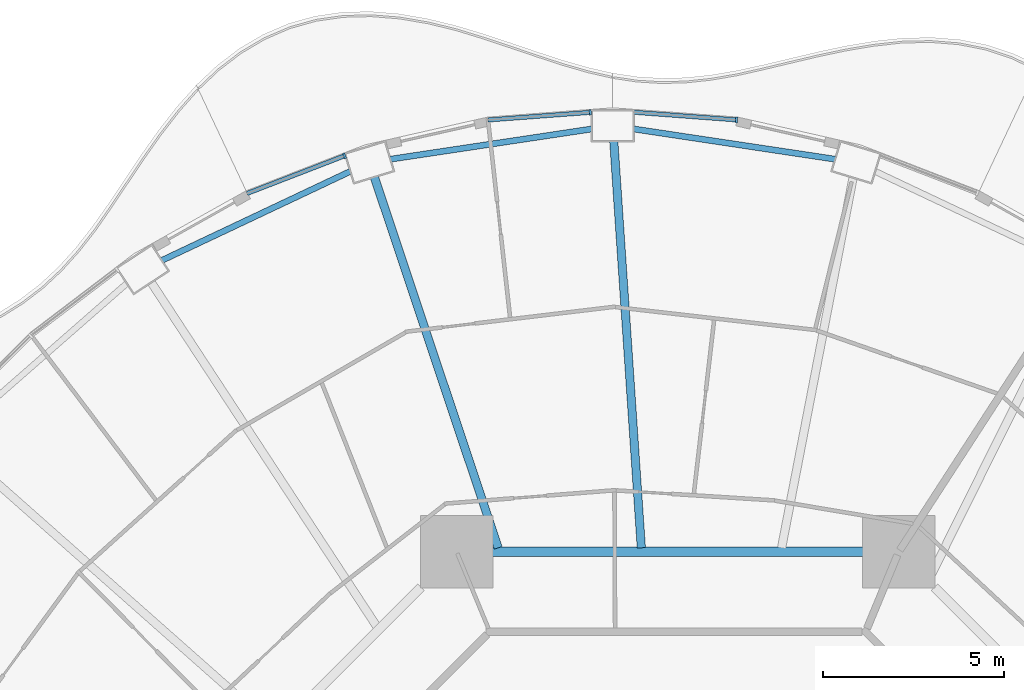
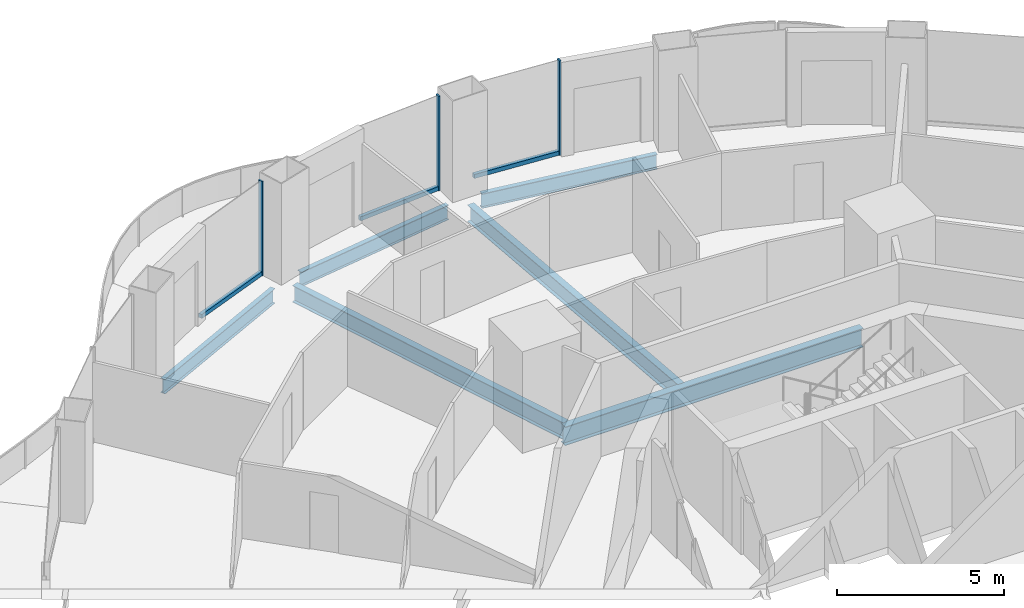
# One storey, part 7 of 19: 6 beams, 6 members, 3 elements without a shape of their own.
"""IFC4 building model written with IfcOpenShell, lengths in metres."""

from ifc_helpers import new_model, si_unit, direction, frame, origin, origin_2d, place, context, subcontext, project, spatial, rectangle, i_section, extrude, material, layer, layer_set, material_profile, profile_set, type_object, element, aggregate, save


model = new_model("IFC4")

# Units and contexts
model_context = context("Model", 3, precision=1e-05, world=origin(), true_north=direction((0.0, 1.0)))
body_context = subcontext(model_context, "Body", "Model", "MODEL_VIEW")
ifc_project = project(units=[si_unit("LENGTHUNIT", "METRE"), si_unit("AREAUNIT", "SQUARE_METRE"), si_unit("VOLUMEUNIT", "CUBIC_METRE"), si_unit("PLANEANGLEUNIT", "RADIAN"), si_unit("MASSUNIT", "GRAM", prefix="KILO")], contexts=[model_context])

# Site, building, storey
site_placement = place(None, origin())
site = spatial("IfcSite", under=ifc_project, at=site_placement, CompositionType="ELEMENT")
building_placement = place(site_placement, origin())
building = spatial("IfcBuilding", under=site, at=building_placement, Name="Nagisa Residences", CompositionType="ELEMENT")
storey_placement = place(building_placement, frame((0.0, 0.0, 149.199951171875)))
storey = spatial("IfcBuildingStorey", under=building, at=storey_placement, Name="L37", CompositionType="ELEMENT", Elevation=149.199951171875)

# Curtain wall, member
ifc_material_1 = material(Name="Concrete-coloured aluminium curtain wall system", Category="concrete")
ifc_layer = layer(ifc_material_1, 0.159912109375)
ifc_layer_set = layer_set([ifc_layer], Name="CW1 CURTAIN WALL")
curtain_wall_type = type_object("IfcCurtainWallType", Name="CW1 CURTAIN WALL", PredefinedType="NOTDEFINED", material=ifc_layer_set)
curtain_wall_1_placement = place(storey_placement, origin())
curtain_wall_1 = element("IfcCurtainWall", 1, at=curtain_wall_1_placement, inside=storey, type_object=curtain_wall_type, Name="cw:CW1:L37:11", PredefinedType="NOTDEFINED")
ifc_material_2 = material(Name="Concrete-coloured aluminium", Category="concrete")
ifc_material_profile_1 = material_profile(ifc_material_2, rectangle(XDim=0.159912109375, YDim=0.06005859375, at=origin_2d()), Name="CW1 MULLION 160x60")
ifc_profile_set_1 = profile_set([ifc_material_profile_1], Name="Concrete-coloured aluminium")
member_type_1 = type_object("IfcMemberType", Name="CW1 MULLION 160x60", PredefinedType="MULLION", material=ifc_profile_set_1)
member_1_placement = place(storey_placement, frame((1.627685546875, 26.741455078125, 0.0), z_axis=(0.0, 0.0, 1.0), x_axis=(-0.074377355493, -0.997230168512, 0.0)))
member_1 = element("IfcMember", 2, at=member_1_placement, type_object=member_type_1, Name="CW1 mullion", PredefinedType="MULLION", context=body_context, shape_type="SweptSolid", body=[
    extrude(rectangle(XDim=0.159912109375, YDim=0.06005859375, at=origin_2d()), origin(), (0.0, 0.0, 1.0), 3.43994140625),
])

curtain_wall_2_placement = place(storey_placement, origin())
curtain_wall_2 = element("IfcCurtainWall", 3, at=curtain_wall_2_placement, inside=storey, type_object=curtain_wall_type, Name="cw:CW1:L37:12", PredefinedType="NOTDEFINED")
member_2_placement = place(storey_placement, frame((-2.42236328125, 26.95068359375, 0.0), z_axis=(0.0, 0.0, 1.0), x_axis=(0.074377355493, -0.997230168512, 0.0)))
member_2 = element("IfcMember", 4, at=member_2_placement, type_object=member_type_1, Name="CW1 mullion", PredefinedType="MULLION", context=body_context, shape_type="SweptSolid", body=[
    extrude(rectangle(XDim=0.159912109375, YDim=0.06005859375, at=origin_2d()), origin(), (0.0, 0.0, 1.0), 3.43994140625),
])

curtain_wall_3_placement = place(storey_placement, origin())
curtain_wall_3 = element("IfcCurtainWall", 5, at=curtain_wall_3_placement, inside=storey, type_object=curtain_wall_type, Name="cw:CW1:L37:14", PredefinedType="NOTDEFINED")
member_3_placement = place(storey_placement, frame((-9.2265625, 25.746826171875, 0.0), z_axis=(0.0, 0.0, 1.0), x_axis=(0.360327770268, -0.932825759707, 0.0)))
member_3 = element("IfcMember", 6, at=member_3_placement, type_object=member_type_1, Name="CW1 mullion", PredefinedType="MULLION", context=body_context, shape_type="SweptSolid", body=[
    extrude(rectangle(XDim=0.159912109375, YDim=0.06005859375, at=origin_2d()), origin(), (0.0, 0.0, 1.0), 3.43994140625),
])

# Member
ifc_material_3 = material(Name="Concrete-coloured aluminium", Category="concrete")
ifc_material_profile_2 = material_profile(ifc_material_3, rectangle(XDim=0.1201171875, YDim=0.14990234375, at=origin_2d()), Name="CW1 TRANSOM 120x150")
ifc_profile_set_2 = profile_set([ifc_material_profile_2], Name="Concrete-coloured aluminium")
member_type_2 = type_object("IfcMemberType", Name="CW1 TRANSOM 120x150", PredefinedType="USERDEFINED", material=ifc_profile_set_2)
member_4_placement = place(storey_placement, frame((1.657470703125, 26.7392578125, 0.074951171875), z_axis=(-0.997231697044, 0.074356858535, 0.0), x_axis=(-0.074356858535, -0.997231697044, 0.0)))
member_4 = element("IfcMember", 7, at=member_4_placement, type_object=member_type_2, Name="CW1 transom", ObjectType="TRANSOM", PredefinedType="USERDEFINED", context=body_context, shape_type="SweptSolid", body=[
    extrude(rectangle(XDim=0.1201171875, YDim=0.14990234375, at=origin_2d()), origin(), (0.0, 0.0, 1.0), 2.873046875),
])

aggregate(curtain_wall_1, [member_1, member_4])

member_5_placement = place(storey_placement, frame((-2.392333984375, 26.952880859375, 0.074951171875), z_axis=(-0.997232166829, -0.074350557769, 0.0), x_axis=(0.074350557769, -0.997232166829, 0.0)))
member_5 = element("IfcMember", 8, at=member_5_placement, type_object=member_type_2, Name="CW1 transom", ObjectType="TRANSOM", PredefinedType="USERDEFINED", context=body_context, shape_type="SweptSolid", body=[
    extrude(rectangle(XDim=0.1201171875, YDim=0.14990234375, at=origin_2d()), origin(), (0.0, 0.0, 1.0), 2.873291015625),
])

aggregate(curtain_wall_2, [member_2, member_5])

member_6_placement = place(storey_placement, frame((-9.19873046875, 25.757568359375, 0.074951171875), z_axis=(-0.932845344347, -0.360277064952, 0.0), x_axis=(0.360277064952, -0.932845344347, 0.0)))
member_6 = element("IfcMember", 9, at=member_6_placement, type_object=member_type_2, Name="CW1 transom", ObjectType="TRANSOM", PredefinedType="USERDEFINED", context=body_context, shape_type="SweptSolid", body=[
    extrude(rectangle(XDim=0.1201171875, YDim=0.14990234375, at=origin_2d()), origin(), (0.0, 0.0, 1.0), 2.92333984375),
])

aggregate(curtain_wall_3, [member_3, member_6])

# Beams
ifc_material_4 = material(Name="Steel ASTM A572 Gr 50", Category="steel")
ifc_material_profile_3 = material_profile(ifc_material_4, i_section(OverallWidth=0.25390625, OverallDepth=0.68408203125, WebThickness=0.012451171875, FlangeThickness=0.018798828125, at=origin_2d()), Name="W690x140")
ifc_profile_set_3 = profile_set([ifc_material_profile_3], Name="Steel ASTM A572 Gr 50")
beam_type_1 = type_object("IfcBeamType", Name="Inner ring beam W690x140", PredefinedType="BEAM", material=ifc_profile_set_3)
beam_1_placement = place(storey_placement, frame((5.142822265625, 14.781982421875, -0.60205078125), z_axis=(-1.0, 0.0, 0.0), x_axis=(0.0, -1.0, 0.0)))
element("IfcBeam", 10, at=beam_1_placement, inside=storey, type_object=beam_type_1, Name="beam:L37:ib2", PredefinedType="BEAM", context=body_context, shape_type="SweptSolid", body=[
    extrude(i_section(OverallWidth=0.25390625, OverallDepth=0.68408203125, WebThickness=0.012451171875, FlangeThickness=0.018798828125, at=origin_2d()), origin(), (0.0, 0.0, 1.0), 10.28564453125),
])
ifc_material_5 = material(Name="Steel ASTM A572 Gr 50", Category="steel")
ifc_material_profile_4 = material_profile(ifc_material_5, i_section(OverallWidth=0.166015625, OverallDepth=0.534912109375, WebThickness=0.01025390625, FlangeThickness=0.0166015625, at=origin_2d()), Name="W530x85")
ifc_profile_set_4 = profile_set([ifc_material_profile_4], Name="Steel ASTM A572 Gr 50")
beam_type_2 = type_object("IfcBeamType", Name="Perimeter ring beam W530x85", PredefinedType="BEAM", material=ifc_profile_set_4)
for number, where, z_axis, x_axis, name in (
    (11, (4.3583984375, 25.652587890625, -0.52734375), (-0.9889122118, 0.148501304214, 0.0), (-0.148501304214, -0.9889122118, 0.0), "beam:L37:pb06"),
    (12, (-2.380126953125, 26.490234375, -0.52734375), (-0.9889122118, -0.148501304214, 0.0), (0.148501304214, -0.9889122118, 0.0), "beam:L37:pb07"),
):
    element("IfcBeam", number, at=place(storey_placement, frame(where, z_axis=z_axis, x_axis=x_axis)), inside=storey, type_object=beam_type_2, Name=name, PredefinedType="BEAM", context=body_context, shape_type="SweptSolid", body=[
        extrude(i_section(OverallWidth=0.166015625, OverallDepth=0.534912109375, WebThickness=0.01025390625, FlangeThickness=0.0166015625, at=origin_2d()), origin(), (0.0, 0.0, 1.0), 5.640625),
    ])
beam_2_placement = place(storey_placement, frame((-9.068603515625, 25.31494140625, -0.52734375), z_axis=(-0.904169699539, -0.427173447719, 0.0), x_axis=(0.427173447719, -0.904169699539, 0.0)))
element("IfcBeam", 13, at=beam_2_placement, inside=storey, type_object=beam_type_2, Name="beam:L37:pb08", PredefinedType="BEAM", context=body_context, shape_type="SweptSolid", body=[
    extrude(i_section(OverallWidth=0.166015625, OverallDepth=0.534912109375, WebThickness=0.01025390625, FlangeThickness=0.0166015625, at=origin_2d()), origin(), (0.0, 0.0, 1.0), 5.7724609375),
])
ifc_material_6 = material(Name="Steel ASTM A572 Gr 50", Category="steel")
ifc_material_profile_5 = material_profile(ifc_material_6, i_section(OverallWidth=0.22900390625, OverallDepth=0.612060546875, WebThickness=0.011962890625, FlangeThickness=0.01953125, at=origin_2d()), Name="W610x125")
ifc_profile_set_5 = profile_set([ifc_material_profile_5], Name="Steel ASTM A572 Gr 50")
beam_type_3 = type_object("IfcBeamType", Name="Radial beam W610x125", PredefinedType="BEAM", material=ifc_profile_set_5)
beam_3_placement = place(storey_placement, frame((-1.77099609375, 26.147216796875, -0.56591796875), z_axis=(0.067591690418, -0.997713066661, 0.0), x_axis=(0.997713066661, 0.067591690418, 0.0)))
element("IfcBeam", 14, at=beam_3_placement, inside=storey, type_object=beam_type_3, Name="beam:L37:rb07", PredefinedType="BEAM", context=body_context, shape_type="SweptSolid", body=[
    extrude(i_section(OverallWidth=0.22900390625, OverallDepth=0.612060546875, WebThickness=0.011962890625, FlangeThickness=0.01953125, at=origin_2d()), origin(), (0.0, 0.0, 1.0), 11.283935546875),
])
beam_4_placement = place(storey_placement, frame((-8.402099609375, 25.157470703125, -0.56591796875), z_axis=(0.316789297789, -0.948495936104, 0.0), x_axis=(0.948495936104, 0.316789297789, 0.0)))
element("IfcBeam", 15, at=beam_4_placement, inside=storey, type_object=beam_type_3, Name="beam:L37:rb08", PredefinedType="BEAM", context=body_context, shape_type="SweptSolid", body=[
    extrude(i_section(OverallWidth=0.22900390625, OverallDepth=0.612060546875, WebThickness=0.011962890625, FlangeThickness=0.01953125, at=origin_2d()), origin(), (0.0, 0.0, 1.0), 10.824951171875),
])

save(model, "model.ifc")
